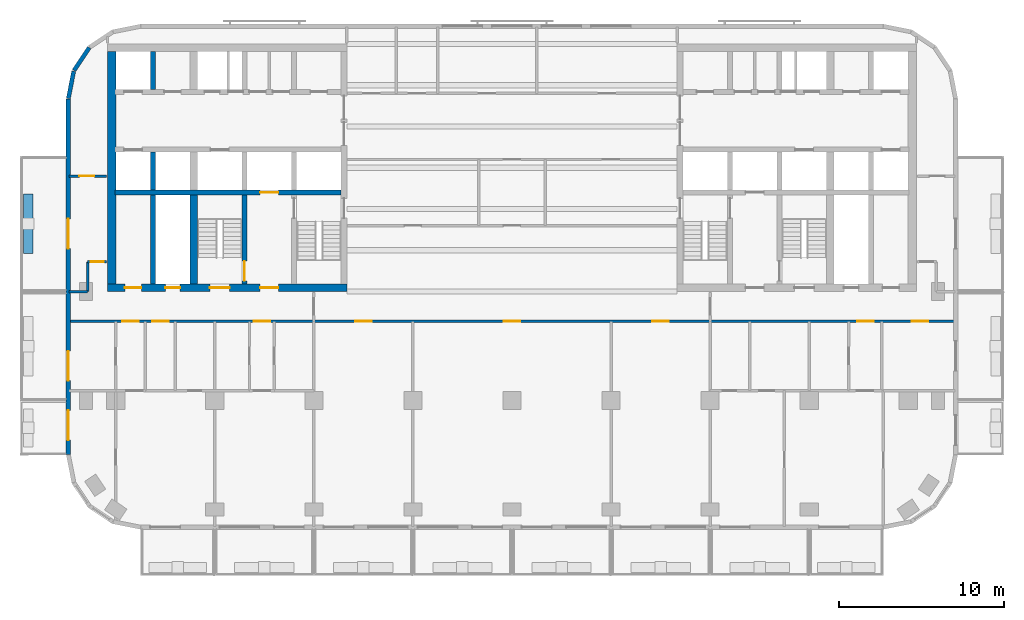
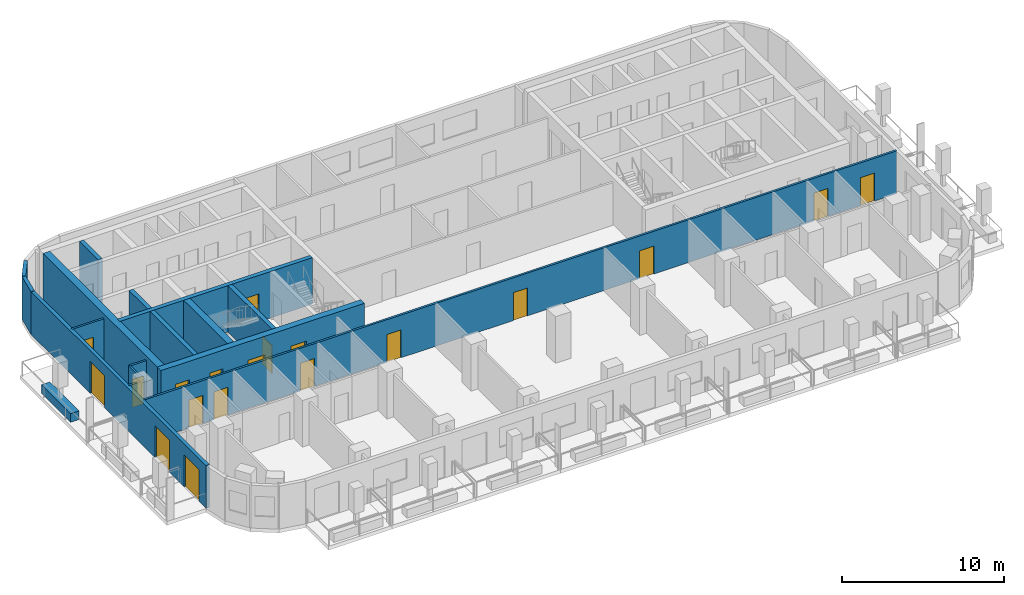
# One storey, part 3 of 11: 19 doors, 17 walls, 19 openings.
"""IFC4 building model written with IfcOpenShell, lengths in metres."""

from ifc_helpers import new_model, si_unit, direction, frame, frame_2d, origin, place, context, subcontext, project, spatial, rectangle, extrude, material, layer, layer_set, type_object, element, fill, save


model = new_model("IFC4")

# Units and contexts
model_context = context("Model", 3, precision=1e-05, world=origin(), true_north=direction((0.0, 1.0)))
body_context = subcontext(model_context, "Body", "Model", "MODEL_VIEW")
ifc_project = project(units=[si_unit("LENGTHUNIT", "METRE"), si_unit("AREAUNIT", "SQUARE_METRE"), si_unit("VOLUMEUNIT", "CUBIC_METRE"), si_unit("PLANEANGLEUNIT", "RADIAN"), si_unit("MASSUNIT", "GRAM", prefix="KILO")], contexts=[model_context])

# Site, building, storey
site_placement = place(None, origin())
site = spatial("IfcSite", under=ifc_project, at=site_placement, CompositionType="ELEMENT")
building_placement = place(site_placement, origin())
building = spatial("IfcBuilding", under=site, at=building_placement, Name="Torana Hotel and Residences", CompositionType="ELEMENT")
storey_placement = place(building_placement, frame((0.0, 0.0, 215.10009765625)))
storey = spatial("IfcBuildingStorey", under=building, at=storey_placement, Name="L56", CompositionType="ELEMENT", Elevation=215.10009765625)

# Wall, opening, door
ifc_material_1 = material(Name="Concrete C70/85", Category="concrete")
ifc_layer_1 = layer(ifc_material_1, 0.300048828125)
ifc_layer_set_1 = layer_set([ifc_layer_1], Name="CORE WALL 300 C70/85")
wall_type_1 = type_object("IfcWallType", Name="CORE WALL 300 C70/85", PredefinedType="SHEAR", material=ifc_layer_set_1)
wall_1_placement = place(storey_placement, frame((-24.050048828125, -9.0, 0.0), z_axis=(0.0, 0.0, 1.0), x_axis=(1.0, 0.0, 0.0)))
wall_1 = element("IfcWall", 1, at=wall_1_placement, inside=storey, type_object=wall_type_1, Name="Core wall W band", PredefinedType="SHEAR", context=body_context, shape_type="SweptSolid", body=[
    extrude(rectangle(XDim=13.699951171875, YDim=0.300048828125, at=frame_2d((6.85009765625, 0.0))), origin(), (0.0, 0.0, 1.0), 3.5),
])
opening_1_placement = place(wall_1_placement, frame((8.800048828125, 0.0, 0.0)))
opening_1 = element("IfcOpeningElement", 2, at=opening_1_placement, cuts=wall_1, Name="Opening LD", PredefinedType="OPENING", context=body_context, shape_type="SweptSolid", body=[
    extrude(rectangle(XDim=1.10009765625, YDim=2.10009765625, at=frame_2d((0.550048828125, 1.050048828125))), frame((0.0, 0.159912109375, 0.0), z_axis=(0.0, -1.0, 0.0), x_axis=(1.0, 0.0, 0.0)), (0.0, 0.0, 1.0), 0.320068359375),
])
ifc_material_2 = material(Name="Stainless steel 316", Category="steel")
door_type_1 = type_object("IfcDoorType", Name="LIFT LANDING DOOR LD 1100x2100", OperationType="DOUBLE_DOOR_SLIDING", PredefinedType="USERDEFINED", material=ifc_material_2)
door_1_placement = place(opening_1_placement, origin())
door_1 = element("IfcDoor", 3, at=door_1_placement, inside=storey, type_object=door_type_1, Name="Lift landing door FF1 L56", ObjectType="LIFT LANDING DOOR", OperationType="DOUBLE_DOOR_SLIDING", OverallHeight=2.10009765625, OverallWidth=1.10009765625, PredefinedType="USERDEFINED", context=body_context, shape_type="SweptSolid", body=[
    extrude(rectangle(XDim=1.10009765625, YDim=2.10009765625, at=frame_2d((0.550048828125, 1.050048828125))), frame((0.0, 0.02490234375, 0.0), z_axis=(0.0, -1.0, 0.0), x_axis=(1.0, 0.0, 0.0)), (0.0, 0.0, 1.0), 0.050048828125),
])
fill(opening_1, door_1)

wall_2_placement = place(storey_placement, frame((-16.199951171875, -14.550048828125, 0.0), z_axis=(0.0, 0.0, 1.0), x_axis=(0.0, 1.0, 0.0)))
wall_2 = element("IfcWall", 4, at=wall_2_placement, inside=storey, type_object=wall_type_1, Name="Core wall W x6.05-band", PredefinedType="SHEAR", context=body_context, shape_type="SweptSolid", body=[
    extrude(rectangle(XDim=5.400146484375, YDim=0.300048828125, at=frame_2d((2.7001953125, 0.0))), origin(), (0.0, 0.0, 1.0), 3.5),
])
opening_2_placement = place(wall_2_placement, frame((0.199951171875, 0.0, 0.0)))
opening_2 = element("IfcOpeningElement", 5, at=opening_2_placement, cuts=wall_2, Name="Opening L56-15", PredefinedType="OPENING", context=body_context, shape_type="SweptSolid", body=[
    extrude(rectangle(XDim=1.199951171875, YDim=2.10009765625, at=frame_2d((0.60009765625, 1.050048828125))), frame((0.0, 0.159912109375, 0.0), z_axis=(0.0, -1.0, 0.0), x_axis=(1.0, 0.0, 0.0)), (0.0, 0.0, 1.0), 0.320068359375),
])
ifc_material_3 = material(Name="Steel S235", Category="steel")
door_type_2 = type_object("IfcDoorType", Name="STAIR FIRE DOOR D3 1200x2100", OperationType="SINGLE_SWING_LEFT", PredefinedType="DOOR", material=ifc_material_3)
door_2_placement = place(opening_2_placement, origin())
door_2 = element("IfcDoor", 6, at=door_2_placement, inside=storey, type_object=door_type_2, Name="Stair-B-lobby door L56", OperationType="SINGLE_SWING_RIGHT", OverallHeight=2.10009765625, OverallWidth=1.199951171875, PredefinedType="DOOR", context=body_context, shape_type="SweptSolid", body=[
    extrude(rectangle(XDim=1.199951171875, YDim=2.10009765625, at=frame_2d((0.60009765625, 1.050048828125))), frame((0.0, 0.02490234375, 0.0), z_axis=(0.0, -1.0, 0.0), x_axis=(1.0, 0.0, 0.0)), (0.0, 0.0, 1.0), 0.050048828125),
])
fill(opening_2, door_2)

# Walls
for number, where, z_axis, x_axis, name in (
    (7, (-21.75, -2.75, 0.0), (0.0, 0.0, 1.0), (0.0, 1.0, 0.0), "Core wall W mm-N"),
    (8, (-21.75, -8.85009765625, 0.0), (0.0, 0.0, 1.0), (0.0, 1.0, 0.0), "Core wall W mm-S"),
):
    element("IfcWall", number, at=place(storey_placement, frame(where, z_axis=z_axis, x_axis=x_axis)), inside=storey, type_object=wall_type_1, Name=name, PredefinedType="SHEAR", context=body_context, shape_type="SweptSolid", body=[
        extrude(rectangle(XDim=2.300048828125, YDim=0.300048828125, at=frame_2d((1.14990234375, 0.0))), origin(), (0.0, 0.0, 1.0), 3.5),
    ])
wall_3_placement = place(storey_placement, frame((-21.75, -14.550048828125, 0.0), z_axis=(0.0, 0.0, 1.0), x_axis=(0.0, 1.0, 0.0)))
element("IfcWall", 9, at=wall_3_placement, inside=storey, type_object=wall_type_1, Name="Core wall W mm-band", PredefinedType="SHEAR", context=body_context, shape_type="SweptSolid", body=[
    extrude(rectangle(XDim=5.400146484375, YDim=0.300048828125, at=frame_2d((2.7001953125, 0.0))), origin(), (0.0, 0.0, 1.0), 3.5),
])

# Wall, openings, doors
ifc_material_4 = material(Name="Concrete C70/85", Category="concrete")
ifc_layer_2 = layer(ifc_material_4, 0.449951171875)
ifc_layer_set_2 = layer_set([ifc_layer_2], Name="CORE WALL 450 C70/85")
wall_type_2 = type_object("IfcWallType", Name="CORE WALL 450 C70/85", PredefinedType="SHEAR", material=ifc_layer_set_2)
wall_4_placement = place(storey_placement, frame((-24.5, -14.77490234375, 0.0), z_axis=(0.0, 0.0, 1.0), x_axis=(1.0, 0.0, 0.0)))
wall_4 = element("IfcWall", 10, at=wall_4_placement, inside=storey, type_object=wall_type_2, Name="Core wall W front", PredefinedType="SHEAR", context=body_context, shape_type="SweptSolid", body=[
    extrude(rectangle(XDim=14.5, YDim=0.449951171875, at=frame_2d((7.25, 0.0))), origin(), (0.0, 0.0, 1.0), 3.5),
])
opening_3_placement = place(wall_4_placement, frame((6.199951171875, 0.0, 0.0)))
opening_3 = element("IfcOpeningElement", 11, at=opening_3_placement, cuts=wall_4, Name="Opening L56-04", PredefinedType="OPENING", context=body_context, shape_type="SweptSolid", body=[
    extrude(rectangle(XDim=1.199951171875, YDim=2.10009765625, at=frame_2d((0.60009765625, 1.050048828125))), frame((0.0, 0.23486328125, 0.0), z_axis=(0.0, -1.0, 0.0), x_axis=(1.0, 0.0, 0.0)), (0.0, 0.0, 1.0), 0.469970703125),
])
opening_4_placement = place(wall_4_placement, frame((9.25, 0.0, 0.0)))
opening_4 = element("IfcOpeningElement", 12, at=opening_4_placement, cuts=wall_4, Name="Opening L56-05", PredefinedType="OPENING", context=body_context, shape_type="SweptSolid", body=[
    extrude(rectangle(XDim=1.10009765625, YDim=2.10009765625, at=frame_2d((0.550048828125, 1.050048828125))), frame((0.0, 0.23486328125, 0.0), z_axis=(0.0, -1.0, 0.0), x_axis=(1.0, 0.0, 0.0)), (0.0, 0.0, 1.0), 0.469970703125),
])
opening_5_placement = place(wall_4_placement, frame((3.5, 0.0, 0.0)))
opening_5 = element("IfcOpeningElement", 13, at=opening_5_placement, cuts=wall_4, Name="Opening L56-06", PredefinedType="OPENING", context=body_context, shape_type="SweptSolid", body=[
    extrude(rectangle(XDim=0.89990234375, YDim=2.10009765625, at=frame_2d((0.449951171875, 1.050048828125))), frame((0.0, 0.23486328125, 0.0), z_axis=(0.0, -1.0, 0.0), x_axis=(1.0, 0.0, 0.0)), (0.0, 0.0, 1.0), 0.469970703125),
])
opening_6_placement = place(wall_4_placement, frame((1.050048828125, 0.0, 0.0)))
opening_6 = element("IfcOpeningElement", 14, at=opening_6_placement, cuts=wall_4, Name="Opening L56-07", PredefinedType="OPENING", context=body_context, shape_type="SweptSolid", body=[
    extrude(rectangle(XDim=1.0, YDim=2.10009765625, at=frame_2d((0.5, 1.050048828125))), frame((0.0, 0.23486328125, 0.0), z_axis=(0.0, -1.0, 0.0), x_axis=(1.0, 0.0, 0.0)), (0.0, 0.0, 1.0), 0.469970703125),
])
ifc_material_5 = material(Name="Steel S235", Category="steel")
door_type_3 = type_object("IfcDoorType", Name="CORE ROOM FIRE DOOR D14 1000x2100", OperationType="SINGLE_SWING_LEFT", PredefinedType="DOOR", material=ifc_material_5)
door_3_placement = place(opening_6_placement, origin())
door_3 = element("IfcDoor", 15, at=door_3_placement, inside=storey, type_object=door_type_3, Name="M-Room door L56", OperationType="SINGLE_SWING_RIGHT", OverallHeight=2.10009765625, OverallWidth=1.0, PredefinedType="DOOR", context=body_context, shape_type="SweptSolid", body=[
    extrude(rectangle(XDim=1.0, YDim=2.10009765625, at=frame_2d((0.5, 1.050048828125))), frame((0.0, 0.02490234375, 0.0), z_axis=(0.0, -1.0, 0.0), x_axis=(1.0, 0.0, 0.0)), (0.0, 0.0, 1.0), 0.050048828125),
])
fill(opening_6, door_3)
ifc_material_6 = material(Name="Steel S235", Category="steel")
door_type_4 = type_object("IfcDoorType", Name="FIRE-FIGHTING LOBBY DOOR D8 1100x2100", OperationType="SINGLE_SWING_LEFT", PredefinedType="DOOR", material=ifc_material_6)
door_4_placement = place(opening_4_placement, origin())
door_4 = element("IfcDoor", 16, at=door_4_placement, inside=storey, type_object=door_type_4, Name="FF-lobby door L56", OperationType="SINGLE_SWING_RIGHT", OverallHeight=2.10009765625, OverallWidth=1.10009765625, PredefinedType="DOOR", context=body_context, shape_type="SweptSolid", body=[
    extrude(rectangle(XDim=1.10009765625, YDim=2.10009765625, at=frame_2d((0.550048828125, 1.050048828125))), frame((0.0, 0.02490234375, 0.0), z_axis=(0.0, -1.0, 0.0), x_axis=(1.0, 0.0, 0.0)), (0.0, 0.0, 1.0), 0.050048828125),
])
fill(opening_4, door_4)
ifc_material_7 = material(Name="Steel S235", Category="steel")
door_type_5 = type_object("IfcDoorType", Name="RISER ACCESS DOOR D5 900x2100", OperationType="SINGLE_SWING_LEFT", PredefinedType="DOOR", material=ifc_material_7)
door_5_placement = place(opening_5_placement, origin())
door_5 = element("IfcDoor", 17, at=door_5_placement, inside=storey, type_object=door_type_5, Name="M-Riser door L56", OperationType="SINGLE_SWING_RIGHT", OverallHeight=2.10009765625, OverallWidth=0.89990234375, PredefinedType="DOOR", context=body_context, shape_type="SweptSolid", body=[
    extrude(rectangle(XDim=0.89990234375, YDim=2.10009765625, at=frame_2d((0.449951171875, 1.050048828125))), frame((0.0, 0.02490234375, 0.0), z_axis=(0.0, -1.0, 0.0), x_axis=(1.0, 0.0, 0.0)), (0.0, 0.0, 1.0), 0.050048828125),
])
fill(opening_5, door_5)
door_6_placement = place(opening_3_placement, origin())
door_6 = element("IfcDoor", 18, at=door_6_placement, inside=storey, type_object=door_type_2, Name="Stair-B door L56", OperationType="SINGLE_SWING_RIGHT", OverallHeight=2.10009765625, OverallWidth=1.199951171875, PredefinedType="DOOR", context=body_context, shape_type="SweptSolid", body=[
    extrude(rectangle(XDim=1.199951171875, YDim=2.10009765625, at=frame_2d((0.60009765625, 1.050048828125))), frame((0.0, 0.02490234375, 0.0), z_axis=(0.0, -1.0, 0.0), x_axis=(1.0, 0.0, 0.0)), (0.0, 0.0, 1.0), 0.050048828125),
])
fill(opening_3, door_6)

# Walls
wall_5_placement = place(storey_placement, frame((-19.27490234375, -14.550048828125, 0.0), z_axis=(0.0, 0.0, 1.0), x_axis=(0.0, 1.0, 0.0)))
element("IfcWall", 19, at=wall_5_placement, inside=storey, type_object=wall_type_2, Name="Core wall W hm-band", PredefinedType="SHEAR", context=body_context, shape_type="SweptSolid", body=[
    extrude(rectangle(XDim=5.400146484375, YDim=0.449951171875, at=frame_2d((2.7001953125, 0.0))), origin(), (0.0, 0.0, 1.0), 3.5),
])
ifc_material_8 = material(Name="Concrete C70/85", Category="concrete")
ifc_layer_3 = layer(ifc_material_8, 0.5)
ifc_layer_set_3 = layer_set([ifc_layer_3], Name="CORE WALL 500 C70/85")
wall_type_3 = type_object("IfcWallType", Name="CORE WALL 500 C70/85", PredefinedType="SHEAR", material=ifc_layer_set_3)
wall_6_placement = place(storey_placement, frame((-24.25, -14.550048828125, 0.0), z_axis=(0.0, 0.0, 1.0), x_axis=(0.0, 1.0, 0.0)))
element("IfcWall", 20, at=wall_6_placement, inside=storey, type_object=wall_type_3, Name="Core wall W outer", PredefinedType="SHEAR", context=body_context, shape_type="SweptSolid", body=[
    extrude(rectangle(XDim=14.10009765625, YDim=0.5, at=frame_2d((7.050048828125, 0.0))), origin(), (0.0, 0.0, 1.0), 3.5),
])
ifc_material_9 = material(Name="Black aluminium composite panel", Category="aluminium")
ifc_layer_4 = layer(ifc_material_9, 0.00390625, Name="Cladding", Category="cladding")
ifc_material_10 = material(Name="Ventilated air cavity")
ifc_layer_5 = layer(ifc_material_10, 0.0400390625, Name="Ventilated cavity", Category="cavity")
ifc_material_11 = material(Name="Mineral wool insulation")
ifc_layer_6 = layer(ifc_material_11, 0.090087890625, Name="Insulation", Category="insulation")
ifc_material_12 = material(Name="Steel S280GD", Category="steel")
ifc_layer_7 = layer(ifc_material_12, 0.092041015625, Name="Steel stud frame", Category="structure")
ifc_material_13 = material(Name="Fire rated plasterboard")
ifc_layer_8 = layer(ifc_material_13, 0.011962890625, Name="Inner board", Category="finish")
ifc_layer_9 = layer(ifc_material_13, 0.011962890625, Name="Second board", Category="finish")
ifc_layer_set_4 = layer_set([ifc_layer_4, ifc_layer_5, ifc_layer_6, ifc_layer_7, ifc_layer_8, ifc_layer_9], Name="EW1 EXTERNAL WALL BLACK METAL CLAD 250")
wall_type_4 = type_object("IfcWallType", Name="EW1 EXTERNAL WALL BLACK METAL CLAD 250", PredefinedType="SOLIDWALL", material=ifc_layer_set_4)
wall_7_placement = place(storey_placement, frame((-25.605712890625, -0.228759765625, 0.0), z_axis=(0.0, 0.0, 1.0), x_axis=(-0.55555029066, -0.831482937015, 0.0)))
element("IfcWall", 21, at=wall_7_placement, inside=storey, type_object=wall_type_4, Name="External wall L56 e0.7", PredefinedType="SOLIDWALL", context=body_context, shape_type="SweptSolid", body=[
    extrude(rectangle(XDim=1.65625, YDim=0.25, at=frame_2d((0.828125, 0.0))), origin(), (0.0, 0.0, 1.0), 3.219970703125),
])
wall_8_placement = place(storey_placement, frame((-26.544677734375, -1.651123046875, 0.0), z_axis=(0.0, 0.0, 1.0), x_axis=(-0.194999110559, -0.980803419081, 0.0)))
element("IfcWall", 22, at=wall_8_placement, inside=storey, type_object=wall_type_4, Name="External wall L56 e0.8", PredefinedType="SOLIDWALL", context=body_context, shape_type="SweptSolid", body=[
    extrude(rectangle(XDim=1.681396484375, YDim=0.25, at=frame_2d((0.8408203125, 0.0))), origin(), (0.0, 0.0, 1.0), 3.219970703125),
])

# Wall, openings, doors
wall_9_placement = place(storey_placement, frame((-26.875, -3.32470703125, 0.0), z_axis=(0.0, 0.0, 1.0), x_axis=(0.0, -1.0, 0.0)))
wall_9 = element("IfcWall", 23, at=wall_9_placement, inside=storey, type_object=wall_type_4, Name="External wall L56 e0.9", PredefinedType="SOLIDWALL", context=body_context, shape_type="SweptSolid", body=[
    extrude(rectangle(XDim=21.55078125, YDim=0.25, at=frame_2d((10.775390625, 0.0))), origin(), (0.0, 0.0, 1.0), 3.219970703125),
])
opening_7_placement = place(wall_9_placement, frame((7.275390625, 0.0, 0.0)))
opening_7 = element("IfcOpeningElement", 24, at=opening_7_placement, cuts=wall_9, Name="Opening L56-E12", PredefinedType="OPENING", context=body_context, shape_type="SweptSolid", body=[
    extrude(rectangle(XDim=1.800048828125, YDim=2.39990234375, at=frame_2d((0.89990234375, 1.199951171875))), frame((0.0, 0.135009765625, 0.0), z_axis=(0.0, -1.0, 0.0), x_axis=(1.0, 0.0, 0.0)), (0.0, 0.0, 1.0), 0.27001953125),
])
opening_8_placement = place(wall_9_placement, frame((15.275390625, 0.0, 0.0)))
opening_8 = element("IfcOpeningElement", 25, at=opening_8_placement, cuts=wall_9, Name="Opening L56-E13", PredefinedType="OPENING", context=body_context, shape_type="SweptSolid", body=[
    extrude(rectangle(XDim=1.800048828125, YDim=2.39990234375, at=frame_2d((0.89990234375, 1.199951171875))), frame((0.0, 0.135009765625, 0.0), z_axis=(0.0, -1.0, 0.0), x_axis=(1.0, 0.0, 0.0)), (0.0, 0.0, 1.0), 0.27001953125),
])
opening_9_placement = place(wall_9_placement, frame((18.87548828125, 0.0, 0.0)))
opening_9 = element("IfcOpeningElement", 26, at=opening_9_placement, cuts=wall_9, Name="Opening L56-E14", PredefinedType="OPENING", context=body_context, shape_type="SweptSolid", body=[
    extrude(rectangle(XDim=1.800048828125, YDim=2.39990234375, at=frame_2d((0.89990234375, 1.199951171875))), frame((0.0, 0.135009765625, 0.0), z_axis=(0.0, -1.0, 0.0), x_axis=(1.0, 0.0, 0.0)), (0.0, 0.0, 1.0), 0.27001953125),
])
ifc_material_14 = material(Name="Dark glass in black aluminium frame", Category="aluminium")
door_type_6 = type_object("IfcDoorType", Name="DB1 BALCONY DOOR 1800x2400", OperationType="DOUBLE_DOOR_SINGLE_SWING", PredefinedType="DOOR", material=ifc_material_14)
door_7_placement = place(opening_7_placement, origin())
door_7 = element("IfcDoor", 27, at=door_7_placement, inside=storey, type_object=door_type_6, Name="Balcony door L56", OperationType="DOUBLE_DOOR_SINGLE_SWING", OverallHeight=2.39990234375, OverallWidth=1.800048828125, PredefinedType="DOOR", context=body_context, shape_type="SweptSolid", body=[
    extrude(rectangle(XDim=1.800048828125, YDim=2.39990234375, at=frame_2d((0.89990234375, 1.199951171875))), frame((0.0, 0.02490234375, 0.0), z_axis=(0.0, -1.0, 0.0), x_axis=(1.0, 0.0, 0.0)), (0.0, 0.0, 1.0), 0.050048828125),
])
fill(opening_7, door_7)
door_8_placement = place(opening_8_placement, origin())
door_8 = element("IfcDoor", 28, at=door_8_placement, inside=storey, type_object=door_type_6, Name="Balcony door L56", OperationType="DOUBLE_DOOR_SINGLE_SWING", OverallHeight=2.39990234375, OverallWidth=1.800048828125, PredefinedType="DOOR", context=body_context, shape_type="SweptSolid", body=[
    extrude(rectangle(XDim=1.800048828125, YDim=2.39990234375, at=frame_2d((0.89990234375, 1.199951171875))), frame((0.0, 0.02490234375, 0.0), z_axis=(0.0, -1.0, 0.0), x_axis=(1.0, 0.0, 0.0)), (0.0, 0.0, 1.0), 0.050048828125),
])
fill(opening_8, door_8)
door_9_placement = place(opening_9_placement, origin())
door_9 = element("IfcDoor", 29, at=door_9_placement, inside=storey, type_object=door_type_6, Name="Balcony door L56", OperationType="DOUBLE_DOOR_SINGLE_SWING", OverallHeight=2.39990234375, OverallWidth=1.800048828125, PredefinedType="DOOR", context=body_context, shape_type="SweptSolid", body=[
    extrude(rectangle(XDim=1.800048828125, YDim=2.39990234375, at=frame_2d((0.89990234375, 1.199951171875))), frame((0.0, 0.02490234375, 0.0), z_axis=(0.0, -1.0, 0.0), x_axis=(1.0, 0.0, 0.0)), (0.0, 0.0, 1.0), 0.050048828125),
])
fill(opening_9, door_9)

# Wall
ifc_material_15 = material(Name="Gypsum plaster")
ifc_layer_10 = layer(ifc_material_15, 0.014892578125, Name="Plaster", Category="finish")
ifc_material_16 = material(Name="Concrete blockwork", Category="masonry")
ifc_layer_11 = layer(ifc_material_16, 0.1201171875, Name="Blockwork", Category="structure")
ifc_layer_12 = layer(ifc_material_15, 0.014892578125, Name="Plaster", Category="finish")
ifc_layer_set_5 = layer_set([ifc_layer_10, ifc_layer_11, ifc_layer_12], Name="FIRE PARTITION 150 BLOCKWORK")
wall_type_5 = type_object("IfcWallType", Name="FIRE PARTITION 150 BLOCKWORK", PredefinedType="PARTITIONING", material=ifc_layer_set_5)
wall_10_placement = place(storey_placement, frame((-25.699951171875, -15.0, 0.0), z_axis=(0.0, 0.0, 1.0), x_axis=(0.0, 1.0, 0.0)))
element("IfcWall", 30, at=wall_10_placement, inside=storey, type_object=wall_type_5, Name="Partition L56", PredefinedType="PARTITIONING", context=body_context, shape_type="SweptSolid", body=[
    extrude(rectangle(XDim=1.800048828125, YDim=0.14990234375, at=frame_2d((0.89990234375, 0.0))), origin(), (0.0, 0.0, 1.0), 3.219970703125),
])

# Wall, openings, doors
wall_11_placement = place(storey_placement, frame((-26.820068359375, -16.800048828125, 0.0), z_axis=(0.0, 0.0, 1.0), x_axis=(1.0, 0.0, 0.0)))
wall_11 = element("IfcWall", 31, at=wall_11_placement, inside=storey, type_object=wall_type_5, Name="Partition L56", PredefinedType="PARTITIONING", context=body_context, shape_type="SweptSolid", body=[
    extrude(rectangle(XDim=53.64013671875, YDim=0.14990234375, at=frame_2d((26.820068359375, 0.0))), origin(), (0.0, 0.0, 1.0), 3.219970703125),
])
opening_10_placement = place(wall_11_placement, frame((11.169921875, 0.0, 0.0)))
opening_10 = element("IfcOpeningElement", 32, at=opening_10_placement, cuts=wall_11, Name="Opening L56-32", PredefinedType="OPENING", context=body_context, shape_type="SweptSolid", body=[
    extrude(rectangle(XDim=1.0, YDim=2.10009765625, at=frame_2d((0.5, 1.050048828125))), frame((0.0, 0.0849609375, 0.0), z_axis=(0.0, -1.0, 0.0), x_axis=(1.0, 0.0, 0.0)), (0.0, 0.0, 1.0), 0.169921875),
])
opening_11_placement = place(wall_11_placement, frame((3.219970703125, 0.0, 0.0)))
opening_11 = element("IfcOpeningElement", 33, at=opening_11_placement, cuts=wall_11, Name="Opening L56-33", PredefinedType="OPENING", context=body_context, shape_type="SweptSolid", body=[
    extrude(rectangle(XDim=1.0, YDim=2.10009765625, at=frame_2d((0.5, 1.050048828125))), frame((0.0, 0.0849609375, 0.0), z_axis=(0.0, -1.0, 0.0), x_axis=(1.0, 0.0, 0.0)), (0.0, 0.0, 1.0), 0.169921875),
])
opening_12_placement = place(wall_11_placement, frame((5.02001953125, 0.0, 0.0)))
opening_12 = element("IfcOpeningElement", 34, at=opening_12_placement, cuts=wall_11, Name="Opening L56-34", PredefinedType="OPENING", context=body_context, shape_type="SweptSolid", body=[
    extrude(rectangle(XDim=1.0, YDim=2.10009765625, at=frame_2d((0.5, 1.050048828125))), frame((0.0, 0.0849609375, 0.0), z_axis=(0.0, -1.0, 0.0), x_axis=(1.0, 0.0, 0.0)), (0.0, 0.0, 1.0), 0.169921875),
])
opening_13_placement = place(wall_11_placement, frame((47.719970703125, 0.0, 0.0)))
opening_13 = element("IfcOpeningElement", 35, at=opening_13_placement, cuts=wall_11, Name="Opening L56-37", PredefinedType="OPENING", context=body_context, shape_type="SweptSolid", body=[
    extrude(rectangle(XDim=1.0, YDim=2.10009765625, at=frame_2d((0.5, 1.050048828125))), frame((0.0, 0.0849609375, 0.0), z_axis=(0.0, -1.0, 0.0), x_axis=(1.0, 0.0, 0.0)), (0.0, 0.0, 1.0), 0.169921875),
])
opening_14_placement = place(wall_11_placement, frame((51.0400390625, 0.0, 0.0)))
opening_14 = element("IfcOpeningElement", 36, at=opening_14_placement, cuts=wall_11, Name="Opening L56-38", PredefinedType="OPENING", context=body_context, shape_type="SweptSolid", body=[
    extrude(rectangle(XDim=1.0, YDim=2.10009765625, at=frame_2d((0.5, 1.050048828125))), frame((0.0, 0.0849609375, 0.0), z_axis=(0.0, -1.0, 0.0), x_axis=(1.0, 0.0, 0.0)), (0.0, 0.0, 1.0), 0.169921875),
])
opening_15_placement = place(wall_11_placement, frame((17.320068359375, 0.0, 0.0)))
opening_15 = element("IfcOpeningElement", 37, at=opening_15_placement, cuts=wall_11, Name="Opening L56-41", PredefinedType="OPENING", context=body_context, shape_type="SweptSolid", body=[
    extrude(rectangle(XDim=1.0, YDim=2.10009765625, at=frame_2d((0.5, 1.050048828125))), frame((0.0, 0.0849609375, 0.0), z_axis=(0.0, -1.0, 0.0), x_axis=(1.0, 0.0, 0.0)), (0.0, 0.0, 1.0), 0.169921875),
])
opening_16_placement = place(wall_11_placement, frame((26.320068359375, 0.0, 0.0)))
opening_16 = element("IfcOpeningElement", 38, at=opening_16_placement, cuts=wall_11, Name="Opening L56-42", PredefinedType="OPENING", context=body_context, shape_type="SweptSolid", body=[
    extrude(rectangle(XDim=1.0, YDim=2.10009765625, at=frame_2d((0.5, 1.050048828125))), frame((0.0, 0.0849609375, 0.0), z_axis=(0.0, -1.0, 0.0), x_axis=(1.0, 0.0, 0.0)), (0.0, 0.0, 1.0), 0.169921875),
])
opening_17_placement = place(wall_11_placement, frame((35.320068359375, 0.0, 0.0)))
opening_17 = element("IfcOpeningElement", 39, at=opening_17_placement, cuts=wall_11, Name="Opening L56-43", PredefinedType="OPENING", context=body_context, shape_type="SweptSolid", body=[
    extrude(rectangle(XDim=1.0, YDim=2.10009765625, at=frame_2d((0.5, 1.050048828125))), frame((0.0, 0.0849609375, 0.0), z_axis=(0.0, -1.0, 0.0), x_axis=(1.0, 0.0, 0.0)), (0.0, 0.0, 1.0), 0.169921875),
])
ifc_material_17 = material(Name="Steel S235", Category="steel")
door_type_7 = type_object("IfcDoorType", Name="ENTRY FIRE DOOR D6 1000x2100", OperationType="SINGLE_SWING_LEFT", PredefinedType="DOOR", material=ifc_material_17)
door_10_placement = place(opening_10_placement, origin())
door_10 = element("IfcDoor", 40, at=door_10_placement, inside=storey, type_object=door_type_7, Name="Door L56", OperationType="SINGLE_SWING_RIGHT", OverallHeight=2.10009765625, OverallWidth=1.0, PredefinedType="DOOR", context=body_context, shape_type="SweptSolid", body=[
    extrude(rectangle(XDim=1.0, YDim=2.10009765625, at=frame_2d((0.5, 1.050048828125))), frame((0.0, 0.02490234375, 0.0), z_axis=(0.0, -1.0, 0.0), x_axis=(1.0, 0.0, 0.0)), (0.0, 0.0, 1.0), 0.050048828125),
])
fill(opening_10, door_10)
door_11_placement = place(opening_11_placement, origin())
door_11 = element("IfcDoor", 41, at=door_11_placement, inside=storey, type_object=door_type_7, Name="Door L56", OperationType="SINGLE_SWING_RIGHT", OverallHeight=2.10009765625, OverallWidth=1.0, PredefinedType="DOOR", context=body_context, shape_type="SweptSolid", body=[
    extrude(rectangle(XDim=1.0, YDim=2.10009765625, at=frame_2d((0.5, 1.050048828125))), frame((0.0, 0.02490234375, 0.0), z_axis=(0.0, -1.0, 0.0), x_axis=(1.0, 0.0, 0.0)), (0.0, 0.0, 1.0), 0.050048828125),
])
fill(opening_11, door_11)
door_12_placement = place(opening_12_placement, frame((0.5, 0.0, 0.0), z_axis=(0.0, 0.0, 1.0), x_axis=(-1.0, 0.0, 0.0)))
door_12 = element("IfcDoor", 42, at=door_12_placement, inside=storey, type_object=door_type_7, Name="Door L56", OperationType="SINGLE_SWING_LEFT", OverallHeight=2.10009765625, OverallWidth=1.0, PredefinedType="DOOR", context=body_context, shape_type="SweptSolid", body=[
    extrude(rectangle(XDim=1.0, YDim=2.10009765625, at=frame_2d((0.0, 1.050048828125))), frame((0.0, -0.02490234375, 0.0), z_axis=(0.0, 1.0, 0.0), x_axis=(-1.0, 0.0, 0.0)), (0.0, 0.0, 1.0), 0.050048828125),
])
fill(opening_12, door_12)
door_13_placement = place(opening_13_placement, origin())
door_13 = element("IfcDoor", 43, at=door_13_placement, inside=storey, type_object=door_type_7, Name="Door L56", OperationType="SINGLE_SWING_RIGHT", OverallHeight=2.10009765625, OverallWidth=1.0, PredefinedType="DOOR", context=body_context, shape_type="SweptSolid", body=[
    extrude(rectangle(XDim=1.0, YDim=2.10009765625, at=frame_2d((0.5, 1.050048828125))), frame((0.0, 0.02490234375, 0.0), z_axis=(0.0, -1.0, 0.0), x_axis=(1.0, 0.0, 0.0)), (0.0, 0.0, 1.0), 0.050048828125),
])
fill(opening_13, door_13)
door_14_placement = place(opening_14_placement, frame((0.5, 0.0, 0.0), z_axis=(0.0, 0.0, 1.0), x_axis=(-1.0, 0.0, 0.0)))
door_14 = element("IfcDoor", 44, at=door_14_placement, inside=storey, type_object=door_type_7, Name="Door L56", OperationType="SINGLE_SWING_LEFT", OverallHeight=2.10009765625, OverallWidth=1.0, PredefinedType="DOOR", context=body_context, shape_type="SweptSolid", body=[
    extrude(rectangle(XDim=1.0, YDim=2.10009765625, at=frame_2d((0.0, 1.050048828125))), frame((0.0, -0.02490234375, 0.0), z_axis=(0.0, 1.0, 0.0), x_axis=(-1.0, 0.0, 0.0)), (0.0, 0.0, 1.0), 0.050048828125),
])
fill(opening_14, door_14)
door_15_placement = place(opening_15_placement, frame((0.5, 0.0, 0.0), z_axis=(0.0, 0.0, 1.0), x_axis=(-1.0, 0.0, 0.0)))
door_15 = element("IfcDoor", 45, at=door_15_placement, inside=storey, type_object=door_type_7, Name="Door L56", OperationType="SINGLE_SWING_LEFT", OverallHeight=2.10009765625, OverallWidth=1.0, PredefinedType="DOOR", context=body_context, shape_type="SweptSolid", body=[
    extrude(rectangle(XDim=1.0, YDim=2.10009765625, at=frame_2d((0.0, 1.050048828125))), frame((0.0, -0.02490234375, 0.0), z_axis=(0.0, 1.0, 0.0), x_axis=(-1.0, 0.0, 0.0)), (0.0, 0.0, 1.0), 0.050048828125),
])
fill(opening_15, door_15)
door_16_placement = place(opening_16_placement, frame((0.5, 0.0, 0.0), z_axis=(0.0, 0.0, 1.0), x_axis=(-1.0, 0.0, 0.0)))
door_16 = element("IfcDoor", 46, at=door_16_placement, inside=storey, type_object=door_type_7, Name="Door L56", OperationType="SINGLE_SWING_LEFT", OverallHeight=2.10009765625, OverallWidth=1.0, PredefinedType="DOOR", context=body_context, shape_type="SweptSolid", body=[
    extrude(rectangle(XDim=1.0, YDim=2.10009765625, at=frame_2d((0.0, 1.050048828125))), frame((0.0, -0.02490234375, 0.0), z_axis=(0.0, 1.0, 0.0), x_axis=(-1.0, 0.0, 0.0)), (0.0, 0.0, 1.0), 0.050048828125),
])
fill(opening_16, door_16)
door_17_placement = place(opening_17_placement, frame((0.5, 0.0, 0.0), z_axis=(0.0, 0.0, 1.0), x_axis=(-1.0, 0.0, 0.0)))
door_17 = element("IfcDoor", 47, at=door_17_placement, inside=storey, type_object=door_type_7, Name="Door L56", OperationType="SINGLE_SWING_LEFT", OverallHeight=2.10009765625, OverallWidth=1.0, PredefinedType="DOOR", context=body_context, shape_type="SweptSolid", body=[
    extrude(rectangle(XDim=1.0, YDim=2.10009765625, at=frame_2d((0.0, 1.050048828125))), frame((0.0, -0.02490234375, 0.0), z_axis=(0.0, 1.0, 0.0), x_axis=(-1.0, 0.0, 0.0)), (0.0, 0.0, 1.0), 0.050048828125),
])
fill(opening_17, door_17)

# Wall
wall_12_placement = place(storey_placement, frame((-26.820068359375, -15.0, 0.0), z_axis=(0.0, 0.0, 1.0), x_axis=(1.0, 0.0, 0.0)))
element("IfcWall", 48, at=wall_12_placement, inside=storey, type_object=wall_type_5, Name="Partition L56", PredefinedType="PARTITIONING", context=body_context, shape_type="SweptSolid", body=[
    extrude(rectangle(XDim=1.1201171875, YDim=0.14990234375, at=frame_2d((0.56005859375, 0.0))), origin(), (0.0, 0.0, 1.0), 3.219970703125),
])

# Wall, opening, door
wall_13_placement = place(storey_placement, frame((-25.699951171875, -13.199951171875, 0.0), z_axis=(0.0, 0.0, 1.0), x_axis=(1.0, 0.0, 0.0)))
wall_13 = element("IfcWall", 49, at=wall_13_placement, inside=storey, type_object=wall_type_5, Name="Partition L56", PredefinedType="PARTITIONING", context=body_context, shape_type="SweptSolid", body=[
    extrude(rectangle(XDim=1.14990234375, YDim=0.14990234375, at=frame_2d((0.574951171875, 0.0))), origin(), (0.0, 0.0, 1.0), 3.219970703125),
])
opening_18_placement = place(wall_13_placement, frame((0.175048828125, 0.0, 0.0)))
opening_18 = element("IfcOpeningElement", 50, at=opening_18_placement, cuts=wall_13, Name="Opening L56-35", PredefinedType="OPENING", context=body_context, shape_type="SweptSolid", body=[
    extrude(rectangle(XDim=0.800048828125, YDim=2.10009765625, at=frame_2d((0.39990234375, 1.050048828125))), frame((0.0, 0.0849609375, 0.0), z_axis=(0.0, -1.0, 0.0), x_axis=(1.0, 0.0, 0.0)), (0.0, 0.0, 1.0), 0.169921875),
])
ifc_material_18 = material(Name="Steel S235", Category="steel")
door_type_8 = type_object("IfcDoorType", Name="STORE FIRE DOOR D16 800x2100", OperationType="SINGLE_SWING_LEFT", PredefinedType="DOOR", material=ifc_material_18)
door_18_placement = place(opening_18_placement, origin())
door_18 = element("IfcDoor", 51, at=door_18_placement, inside=storey, type_object=door_type_8, Name="Door L56", OperationType="SINGLE_SWING_LEFT", OverallHeight=2.10009765625, OverallWidth=0.800048828125, PredefinedType="DOOR", context=body_context, shape_type="SweptSolid", body=[
    extrude(rectangle(XDim=0.800048828125, YDim=2.10009765625, at=frame_2d((0.39990234375, 1.050048828125))), frame((0.0, 0.02490234375, 0.0), z_axis=(0.0, -1.0, 0.0), x_axis=(1.0, 0.0, 0.0)), (0.0, 0.0, 1.0), 0.050048828125),
])
fill(opening_18, door_18)

# Wall
ifc_material_19 = material(Name="Concrete C40/50 precast", Category="concrete")
ifc_layer_13 = layer(ifc_material_19, 0.10009765625, Name="Planter shell", Category="structure")
ifc_material_20 = material(Name="Root resistant membrane")
ifc_layer_14 = layer(ifc_material_20, 0.00390625, Name="Waterproofing membrane", Category="membrane")
ifc_material_21 = material(Name="Drainage board with filter fleece")
ifc_layer_15 = layer(ifc_material_21, 0.02001953125, Name="Drainage board", Category="drainage")
ifc_material_22 = material(Name="Growing medium")
ifc_layer_16 = layer(ifc_material_22, 0.47607421875, Name="Planting substrate", Category="soil")
ifc_layer_set_6 = layer_set([ifc_layer_13, ifc_layer_14, ifc_layer_15, ifc_layer_16], Name="PL1 BALCONY PLANTER 600")
wall_type_6 = type_object("IfcWallType", Name="PL1 BALCONY PLANTER 600", PredefinedType="USERDEFINED", material=ifc_layer_set_6)
wall_14_placement = place(storey_placement, frame((-29.300048828125, -12.699951171875, 0.0), z_axis=(0.0, 0.0, 1.0), x_axis=(0.0, 1.0, 0.0)))
element("IfcWall", 52, at=wall_14_placement, inside=storey, type_object=wall_type_6, Name="Planter 11", ObjectType="PLANTER", PredefinedType="USERDEFINED", context=body_context, shape_type="SweptSolid", body=[
    extrude(rectangle(XDim=3.599853515625, YDim=0.60009765625, at=frame_2d((1.7998046875, 0.0))), origin(), (0.0, 0.0, 1.0), 0.64990234375),
])

# Wall, opening, door
ifc_material_23 = material(Name="Ceramic tile on adhesive")
ifc_layer_17 = layer(ifc_material_23, 0.010009765625, Name="Wall tile", Category="finish")
ifc_material_24 = material(Name="Cement render")
ifc_layer_18 = layer(ifc_material_24, 0.010009765625, Name="Render", Category="finish")
ifc_layer_19 = layer(ifc_material_16, 0.110107421875, Name="Blockwork", Category="structure")
ifc_layer_20 = layer(ifc_material_24, 0.010009765625, Name="Render", Category="finish")
ifc_layer_21 = layer(ifc_material_23, 0.010009765625, Name="Wall tile", Category="finish")
ifc_layer_set_7 = layer_set([ifc_layer_17, ifc_layer_18, ifc_layer_19, ifc_layer_20, ifc_layer_21], Name="WC PARTITION 150")
wall_type_7 = type_object("IfcWallType", Name="WC PARTITION 150", PredefinedType="PLUMBINGWALL", material=ifc_layer_set_7)
wall_15_placement = place(storey_placement, frame((-26.820068359375, -8.0, 0.0), z_axis=(0.0, 0.0, 1.0), x_axis=(1.0, 0.0, 0.0)))
wall_15 = element("IfcWall", 53, at=wall_15_placement, inside=storey, type_object=wall_type_7, Name="Partition L56", PredefinedType="PLUMBINGWALL", context=body_context, shape_type="SweptSolid", body=[
    extrude(rectangle(XDim=2.27001953125, YDim=0.14990234375, at=frame_2d((1.135009765625, 0.0))), origin(), (0.0, 0.0, 1.0), 3.219970703125),
])
opening_19_placement = place(wall_15_placement, frame((0.6201171875, 0.0, 0.0)))
opening_19 = element("IfcOpeningElement", 54, at=opening_19_placement, cuts=wall_15, Name="Opening L56-64", PredefinedType="OPENING", context=body_context, shape_type="SweptSolid", body=[
    extrude(rectangle(XDim=0.89990234375, YDim=2.10009765625, at=frame_2d((0.449951171875, 1.050048828125))), frame((0.0, 0.0849609375, 0.0), z_axis=(0.0, -1.0, 0.0), x_axis=(1.0, 0.0, 0.0)), (0.0, 0.0, 1.0), 0.169921875),
])
ifc_material_25 = material(Name="Timber door, oiled ash", Category="wood")
door_type_9 = type_object("IfcDoorType", Name="ROOM DOOR D7 900x2100", OperationType="SINGLE_SWING_LEFT", PredefinedType="DOOR", material=ifc_material_25)
door_19_placement = place(opening_19_placement, origin())
door_19 = element("IfcDoor", 55, at=door_19_placement, inside=storey, type_object=door_type_9, Name="Door L56", OperationType="SINGLE_SWING_RIGHT", OverallHeight=2.10009765625, OverallWidth=0.89990234375, PredefinedType="DOOR", context=body_context, shape_type="SweptSolid", body=[
    extrude(rectangle(XDim=0.89990234375, YDim=2.10009765625, at=frame_2d((0.449951171875, 1.050048828125))), frame((0.0, 0.02490234375, 0.0), z_axis=(0.0, -1.0, 0.0), x_axis=(1.0, 0.0, 0.0)), (0.0, 0.0, 1.0), 0.050048828125),
])
fill(opening_19, door_19)

save(model, "model.ifc")
